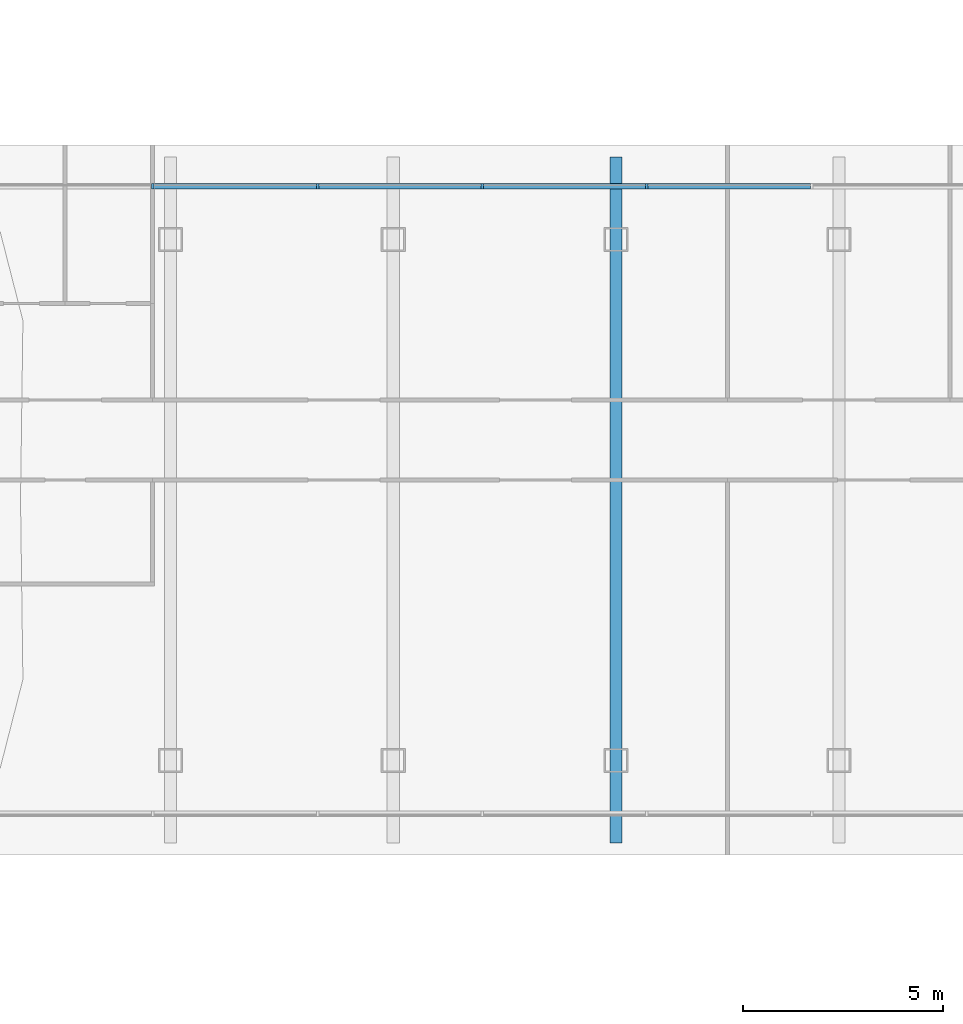
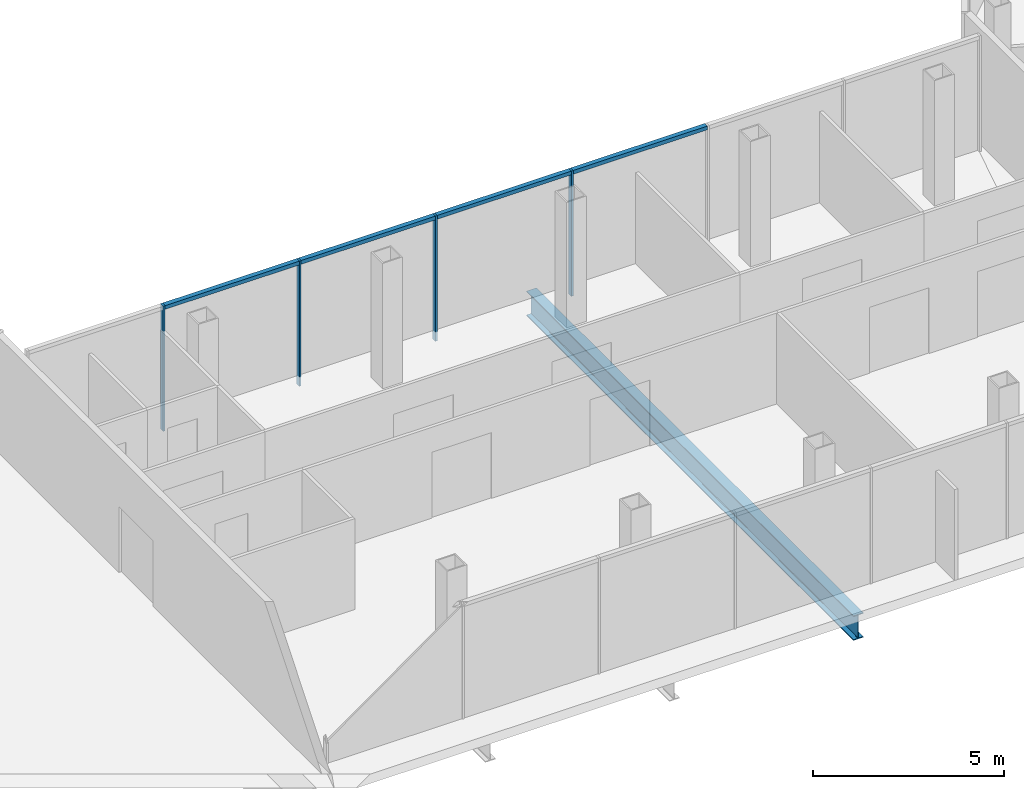
# One storey, part 8 of 25: 8 members, 1 beam, 1 element without a shape of its own.
"""IFC4 building model written with IfcOpenShell, lengths in metres."""

from ifc_helpers import new_model, si_unit, direction, frame, origin, origin_2d, place, context, subcontext, project, spatial, rectangle, i_section, extrude, material, material_profile, profile_set, type_object, element, aggregate, save


model = new_model("IFC4")

# Units and contexts
model_context = context("Model", 3, precision=1e-05, world=origin(), true_north=direction((0.0, 1.0)))
body_context = subcontext(model_context, "Body", "Model", "MODEL_VIEW")
ifc_project = project(units=[si_unit("LENGTHUNIT", "METRE"), si_unit("AREAUNIT", "SQUARE_METRE"), si_unit("VOLUMEUNIT", "CUBIC_METRE"), si_unit("PLANEANGLEUNIT", "RADIAN"), si_unit("MASSUNIT", "GRAM", prefix="KILO")], contexts=[model_context])

# Site, building, storey
site_placement = place(None, origin())
site = spatial("IfcSite", under=ifc_project, at=site_placement, CompositionType="ELEMENT")
building_placement = place(site_placement, origin())
building = spatial("IfcBuilding", under=site, at=building_placement, Name="Ogive Gate Towers", CompositionType="ELEMENT")
storey_placement = place(building_placement, frame((0.0, 0.0, 152.800048828125)))
storey = spatial("IfcBuildingStorey", under=building, at=storey_placement, Name="L36", CompositionType="ELEMENT", Elevation=152.800048828125)

# Beam
ifc_material_1 = material(Name="Steel SM460", Category="steel")
ifc_material_profile_1 = material_profile(ifc_material_1, i_section(OverallWidth=0.300048828125, OverallDepth=0.7900390625, WebThickness=0.014892578125, FlangeThickness=0.028076171875, FilletRadius=0.030029296875, at=origin_2d()), Name="HE 800 A")
ifc_profile_set_1 = profile_set([ifc_material_profile_1], Name="Steel SM460")
beam_type = type_object("IfcBeamType", Name="Block floor beam HE 800 A", PredefinedType="BEAM", material=ifc_profile_set_1)
beam_placement = place(storey_placement, frame((1.282470703125, -8.551513671875, -0.695068359375), z_axis=(0.0, 1.0, 0.0), x_axis=(-1.0, 0.0, 0.0)))
element("IfcBeam", 1, at=beam_placement, inside=storey, type_object=beam_type, Name="BR/L36/SBM003", PredefinedType="BEAM", context=body_context, shape_type="SweptSolid", body=[
    extrude(i_section(OverallWidth=0.300048828125, OverallDepth=0.7900390625, WebThickness=0.014892578125, FlangeThickness=0.028076171875, FilletRadius=0.030029296875, at=origin_2d()), origin(), (0.0, 0.0, 1.0), 17.10302734375),
])

# Curtain wall, members
ifc_material_2 = material(Name="Pale metal aluminium", Category="aluminium")
curtain_wall_type = type_object("IfcCurtainWallType", Name="Gate block facade", PredefinedType="NOTDEFINED", material=ifc_material_2)
curtain_wall_placement = place(storey_placement, origin())
curtain_wall = element("IfcCurtainWall", 2, at=curtain_wall_placement, inside=storey, type_object=curtain_wall_type, Name="CW3 BR ECW02", PredefinedType="NOTDEFINED")
ifc_material_profile_2 = material_profile(ifc_material_2, rectangle(XDim=0.139892578125, YDim=0.06005859375, at=origin_2d()), Name="60 x 140 aluminium box")
ifc_profile_set_2 = profile_set([ifc_material_profile_2], Name="Pale metal aluminium")
member_type_1 = type_object("IfcMemberType", Name="Gate block facade mullion 60 x 140", PredefinedType="MULLION", material=ifc_profile_set_2)
member_1_placement = place(storey_placement, frame((2.053466796875, 7.821533203125, -0.300048828125), z_axis=(0.0, 0.0, 1.0), x_axis=(0.0, 1.0, 0.0)))
member_1 = element("IfcMember", 3, at=member_1_placement, type_object=member_type_1, Name="CW3 mullion", PredefinedType="MULLION", context=body_context, shape_type="SweptSolid", body=[
    extrude(rectangle(XDim=0.139892578125, YDim=0.06005859375, at=origin_2d()), origin(), (0.0, 0.0, 1.0), 4.0),
])
member_2_placement = place(storey_placement, frame((-2.053466796875, 7.821533203125, -0.300048828125), z_axis=(0.0, 0.0, 1.0), x_axis=(0.0, 1.0, 0.0)))
member_2 = element("IfcMember", 4, at=member_2_placement, type_object=member_type_1, Name="CW3 mullion", PredefinedType="MULLION", context=body_context, shape_type="SweptSolid", body=[
    extrude(rectangle(XDim=0.139892578125, YDim=0.06005859375, at=origin_2d()), origin(), (0.0, 0.0, 1.0), 4.0),
])
member_3_placement = place(storey_placement, frame((-6.16064453125, 7.821533203125, -0.300048828125), z_axis=(0.0, 0.0, 1.0), x_axis=(0.0, 1.0, 0.0)))
member_3 = element("IfcMember", 5, at=member_3_placement, type_object=member_type_1, Name="CW3 mullion", PredefinedType="MULLION", context=body_context, shape_type="SweptSolid", body=[
    extrude(rectangle(XDim=0.139892578125, YDim=0.06005859375, at=origin_2d()), origin(), (0.0, 0.0, 1.0), 4.0),
])
member_4_placement = place(storey_placement, frame((-10.267578125, 7.821533203125, -0.300048828125), z_axis=(0.0, 0.0, 1.0), x_axis=(0.0, 1.0, 0.0)))
member_4 = element("IfcMember", 6, at=member_4_placement, type_object=member_type_1, Name="CW3 mullion", PredefinedType="MULLION", context=body_context, shape_type="SweptSolid", body=[
    extrude(rectangle(XDim=0.139892578125, YDim=0.06005859375, at=origin_2d()), origin(), (0.0, 0.0, 1.0), 4.0),
])
ifc_material_profile_3 = material_profile(ifc_material_2, rectangle(XDim=0.139892578125, YDim=0.1201171875, at=origin_2d()), Name="120 x 140 aluminium box")
ifc_profile_set_3 = profile_set([ifc_material_profile_3], Name="Pale metal aluminium")
member_type_2 = type_object("IfcMemberType", Name="Gate block facade transom 120 x 140", PredefinedType="USERDEFINED", material=ifc_profile_set_3)
member_5_placement = place(storey_placement, frame((6.130615234375, 7.821533203125, 3.639892578125), z_axis=(-1.0, 0.0, 0.0), x_axis=(0.0, -1.0, 0.0)))
member_5 = element("IfcMember", 7, at=member_5_placement, type_object=member_type_2, Name="CW3 transom", ObjectType="TRANSOM", PredefinedType="USERDEFINED", context=body_context, shape_type="SweptSolid", body=[
    extrude(rectangle(XDim=0.139892578125, YDim=0.1201171875, at=origin_2d()), origin(), (0.0, 0.0, 1.0), 4.047119140625),
])
member_6_placement = place(storey_placement, frame((2.0234375, 7.821533203125, 3.639892578125), z_axis=(-1.0, 0.0, 0.0), x_axis=(0.0, -1.0, 0.0)))
member_6 = element("IfcMember", 8, at=member_6_placement, type_object=member_type_2, Name="CW3 transom", ObjectType="TRANSOM", PredefinedType="USERDEFINED", context=body_context, shape_type="SweptSolid", body=[
    extrude(rectangle(XDim=0.139892578125, YDim=0.1201171875, at=origin_2d()), origin(), (0.0, 0.0, 1.0), 4.046875),
])
member_7_placement = place(storey_placement, frame((-2.08349609375, 7.821533203125, 3.639892578125), z_axis=(-1.0, 0.0, 0.0), x_axis=(0.0, -1.0, 0.0)))
member_7 = element("IfcMember", 9, at=member_7_placement, type_object=member_type_2, Name="CW3 transom", ObjectType="TRANSOM", PredefinedType="USERDEFINED", context=body_context, shape_type="SweptSolid", body=[
    extrude(rectangle(XDim=0.139892578125, YDim=0.1201171875, at=origin_2d()), origin(), (0.0, 0.0, 1.0), 4.047119140625),
])
member_8_placement = place(storey_placement, frame((-6.190673828125, 7.821533203125, 3.639892578125), z_axis=(-1.0, 0.0, 0.0), x_axis=(0.0, -1.0, 0.0)))
member_8 = element("IfcMember", 10, at=member_8_placement, type_object=member_type_2, Name="CW3 transom", ObjectType="TRANSOM", PredefinedType="USERDEFINED", context=body_context, shape_type="SweptSolid", body=[
    extrude(rectangle(XDim=0.139892578125, YDim=0.1201171875, at=origin_2d()), origin(), (0.0, 0.0, 1.0), 4.047119140625),
])
aggregate(curtain_wall, [member_1, member_5, member_2, member_6, member_3, member_7, member_4, member_8])

save(model, "model.ifc")
